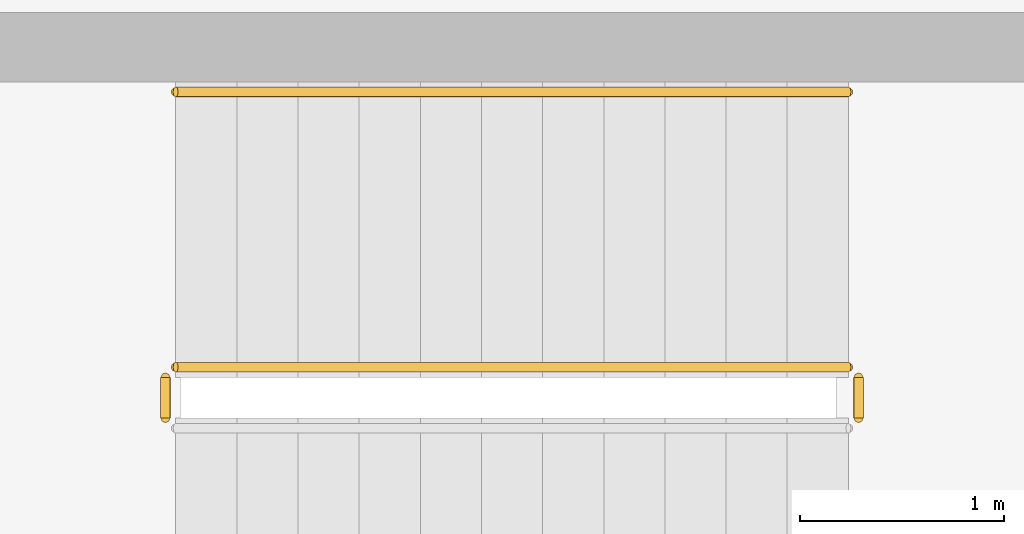
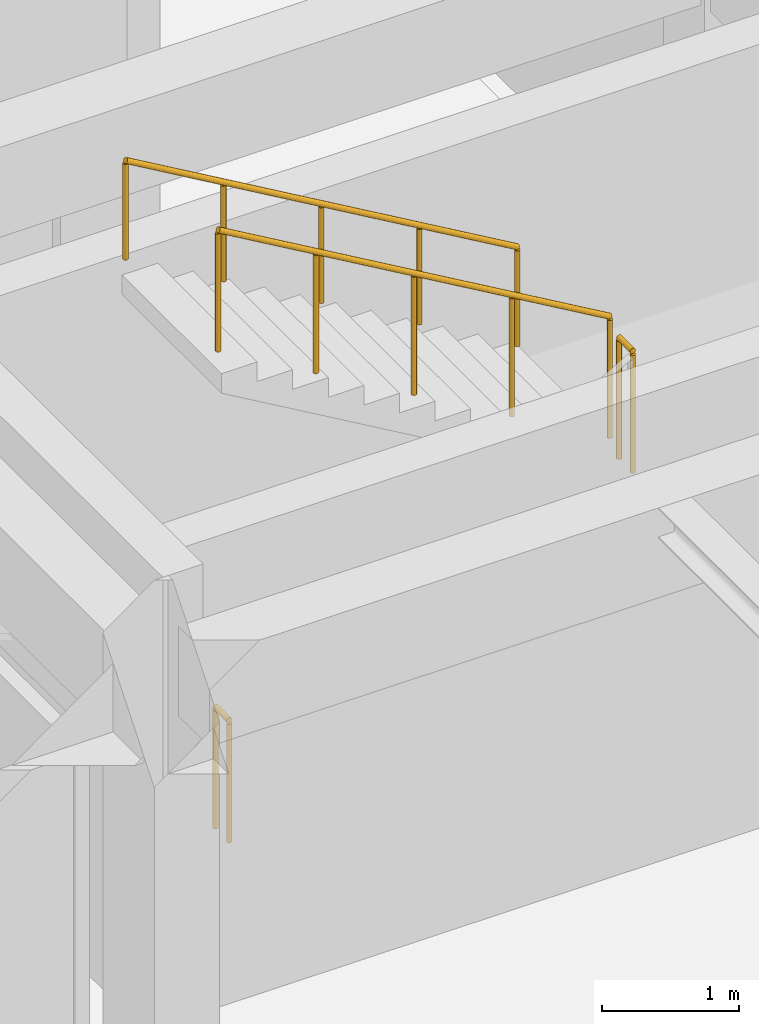
# One storey, part 37 of 40: 4 railings.
"""IFC4 building model written with IfcOpenShell, lengths in metres."""

import ifcopenshell
import ifcopenshell.guid

model = None  # the IFC model being written
_history = None  # IfcOwnerHistory: only IFC2X3 demands one
_inside = {}  # id of a spatial element -> (the spatial element, [elements in it])
_under = {}  # id of a project, library or spatial element -> (it, [spatial elements below it])
_declared = {}  # id of a project -> (the project, [libraries it declares])
_typed = {}  # id of a type object -> (the type object, [elements of that type])
_made_of = {}  # id of a material, layer set ... -> (it, [elements and type objects made of it])


def new_model(schema):
    """Start an empty IFC model of exactly this schema.

    Asked for "IFC4X3", IfcOpenShell would pick the latest addendum, in which some entities
    have other attributes; the version numbers below select the first issue.
    IFC2X3 requires an IfcOwnerHistory on every rooted entity: one is made here for all.
    """
    global model, _history
    if schema == "IFC4X3":
        model = ifcopenshell.file(schema_version=(4, 3, 0, 0))
    else:
        model = ifcopenshell.file(schema=schema)
    _inside.clear()
    _under.clear()
    _declared.clear()
    _typed.clear()
    _made_of.clear()
    _history = None
    if model.schema == "IFC2X3":
        org = make("IfcOrganization", Name="unknown")
        user = make(
            "IfcPersonAndOrganization",
            ThePerson=make("IfcPerson", FamilyName="unknown"),
            TheOrganization=org,
        )
        app = make(
            "IfcApplication",
            ApplicationDeveloper=org,
            Version="unknown",
            ApplicationFullName="unknown",
            ApplicationIdentifier="unknown",
        )
        _history = make(
            "IfcOwnerHistory",
            OwningUser=user,
            OwningApplication=app,
            ChangeAction="ADDED",
            CreationDate=0,
        )
    return model


def make(cls, **values):
    """One entity of the class cls with the attributes given. An attribute that is None is left unset."""
    return model.create_entity(
        cls, **{name: value for name, value in values.items() if value is not None}
    )


def rooted(cls, **values):
    """An entity with a GlobalId (a new one), such as an element, a storey or a relation."""
    return make(cls, GlobalId=ifcopenshell.guid.new(), OwnerHistory=_history, **values)


def si_unit(unit_type, name, prefix=None):
    """IfcSIUnit, for example si_unit("LENGTHUNIT", "METRE", prefix="MILLI")."""
    return make("IfcSIUnit", UnitType=unit_type, Prefix=prefix, Name=name)


def assignment(units):
    """IfcUnitAssignment: the units of a project."""
    return None if units is None else make("IfcUnitAssignment", Units=units)


def point(xyz):
    """IfcCartesianPoint."""
    return None if xyz is None else make("IfcCartesianPoint", Coordinates=xyz)


def direction(xyz):
    """IfcDirection."""
    return None if xyz is None else make("IfcDirection", DirectionRatios=xyz)


def frame(location, z_axis=None, x_axis=None):
    """IfcAxis2Placement3D, a coordinate frame: its origin and axes. An axis left out is left unset."""
    return make(
        "IfcAxis2Placement3D",
        Location=point(location),
        Axis=direction(z_axis),
        RefDirection=direction(x_axis),
    )


def frame_2d(location, x_axis=None):
    """IfcAxis2Placement2D, a coordinate frame in the plane: its origin and x axis."""
    return make(
        "IfcAxis2Placement2D", Location=point(location), RefDirection=direction(x_axis)
    )


def origin():
    """The frame at (0, 0, 0) with its axes left unset."""
    return frame((0.0, 0.0, 0.0))


def origin_2d():
    """The frame at (0, 0) in the plane with its x axis left unset."""
    return frame_2d((0.0, 0.0))


def place(relative_to, where):
    """IfcLocalPlacement: puts the frame where relative to a parent placement (None: the world)."""
    return make(
        "IfcLocalPlacement", PlacementRelTo=relative_to, RelativePlacement=where
    )


def context(
    kind, dimensions, precision=None, world=None, true_north=None, identifier=None
):
    """IfcGeometricRepresentationContext, for example the 3D "Model" context."""
    return make(
        "IfcGeometricRepresentationContext",
        ContextIdentifier=identifier,
        ContextType=kind,
        CoordinateSpaceDimension=dimensions,
        Precision=precision,
        WorldCoordinateSystem=world,
        TrueNorth=true_north,
    )


def subcontext(parent, identifier, kind, view, scale=None):
    """IfcGeometricRepresentationSubContext, for example "Body" below "Model"."""
    return make(
        "IfcGeometricRepresentationSubContext",
        ContextIdentifier=identifier,
        ContextType=kind,
        ParentContext=parent,
        TargetScale=scale,
        TargetView=view,
    )


def project(units=None, contexts=None):
    """IfcProject with its units and contexts."""
    return rooted(
        "IfcProject",
        Name="project",
        RepresentationContexts=contexts,
        UnitsInContext=assignment(units),
    )


def spatial(cls, under=None, at=None, **own):
    """A site, building, storey or space (cls), placed at a placement, below another one or the project."""
    s = rooted(cls, ObjectPlacement=at, **own)
    if under is not None:
        _under.setdefault(under.id(), (under, []))[1].append(s)
    return s


def profile(cls, at=None, kind="AREA", **sizes):
    """A parametric profile (cls). Its sizes go by their IFC names, for example OverallWidth=200.0."""
    return make(cls, ProfileType=kind, Position=at, **sizes)


def circle(**sizes):
    """IfcCircleProfileDef."""
    return profile("IfcCircleProfileDef", **sizes)


def extrude(swept, where, along, depth):
    """IfcExtrudedAreaSolid: the profile swept, set in the frame where, extruded along a direction by depth."""
    return make(
        "IfcExtrudedAreaSolid",
        SweptArea=swept,
        Position=where,
        ExtrudedDirection=direction(along),
        Depth=depth,
    )


def shape(context_of_items, identifier, shape_type, items):
    """IfcShapeRepresentation: the items that make up one representation, for example the "Body"."""
    return make(
        "IfcShapeRepresentation",
        ContextOfItems=context_of_items,
        RepresentationIdentifier=identifier,
        RepresentationType=shape_type,
        Items=items,
    )


def material(Name=None, Category=None):
    """IfcMaterial."""
    return make("IfcMaterial", Name=Name, Category=Category)


def made_of(thing, what):
    """Note that an element or type object is made of a material, layer set ...; save() writes the relation."""
    if what is not None:
        _made_of.setdefault(what.id(), (what, []))[1].append(thing)
    return thing


def type_object(cls, material=None, **own):
    """A type object (cls), such as IfcWallType, which elements share."""
    return made_of(rooted(cls, **own), material)


def element(
    cls,
    number,
    at=None,
    inside=None,
    cuts=None,
    type_object=None,
    material=None,
    context=None,
    identifier="Body",
    shape_type=None,
    held_by="IfcProductDefinitionShape",
    body=None,
    shapes=None,
    **own,
):
    """One element of the class cls, such as IfcWall. Its Tag is "e" and its number.

    at: its placement. inside: the storey or other place that contains it. cuts: it is an
    opening in that element (IfcRelVoidsElement). A single representation is given by context,
    identifier, shape_type and body (its items); several are given by shapes. held_by: the class
    of the entity that holds the representations. save() writes the other relations.
    """
    e = rooted(cls, Tag="e%d" % number, ObjectPlacement=at, **own)
    if body is not None:
        shapes = [shape(context, identifier, shape_type, body)]
    if shapes is not None:
        e.Representation = make(held_by, Representations=shapes)
    if inside is not None:
        _inside.setdefault(inside.id(), (inside, []))[1].append(e)
    if cuts is not None:
        rooted(
            "IfcRelVoidsElement", RelatingBuildingElement=cuts, RelatedOpeningElement=e
        )
    if type_object is not None:
        _typed.setdefault(type_object.id(), (type_object, []))[1].append(e)
    return made_of(e, material)


def aggregate(whole, parts):
    """IfcRelAggregates: a whole, such as a stair, and the parts it consists of."""
    return rooted("IfcRelAggregates", RelatingObject=whole, RelatedObjects=parts)


def save(model, path):
    """Write the relations noted so far, then the file.

    IfcRelAggregates (storeys below a building ...), IfcRelContainedInSpatialStructure (elements
    in a storey), IfcRelDefinesByType, IfcRelAssociatesMaterial and IfcRelDeclares: one each for
    every whole, place, type object, material and project.
    """
    for whole, parts in _under.values():
        aggregate(whole, parts)
    for where, things in _inside.values():
        rooted(
            "IfcRelContainedInSpatialStructure",
            RelatedElements=things,
            RelatingStructure=where,
        )
    for kind, things in _typed.values():
        rooted("IfcRelDefinesByType", RelatedObjects=things, RelatingType=kind)
    for what, things in _made_of.values():
        rooted("IfcRelAssociatesMaterial", RelatedObjects=things, RelatingMaterial=what)
    for by, libraries in _declared.values():
        rooted("IfcRelDeclares", RelatingContext=by, RelatedDefinitions=libraries)
    model.write(path)


model = new_model("IFC4")

# Units and contexts
model_context = context("Model", 3, precision=1e-05, world=origin(), true_north=direction((0.0, 1.0)))
body_context = subcontext(model_context, "Body", "Model", "MODEL_VIEW")
ifc_project = project(units=[si_unit("LENGTHUNIT", "METRE"), si_unit("AREAUNIT", "SQUARE_METRE"), si_unit("VOLUMEUNIT", "CUBIC_METRE"), si_unit("PLANEANGLEUNIT", "RADIAN"), si_unit("MASSUNIT", "GRAM", prefix="KILO")], contexts=[model_context])

# Site, building, storey
site_placement = place(None, origin())
site = spatial("IfcSite", under=ifc_project, at=site_placement, CompositionType="ELEMENT")
building_placement = place(site_placement, origin())
building = spatial("IfcBuilding", under=site, at=building_placement, Name="Korsvaeld Concert Hall", CompositionType="ELEMENT")
storey_placement = place(building_placement, frame((0.0, 0.0, 13.199951171875)))
storey = spatial("IfcBuildingStorey", under=building, at=storey_placement, Name="L03", CompositionType="ELEMENT", Elevation=13.199951171875)

# Railings
ifc_material_1 = material(Name="Powder-coated steel and bronze stair guardrail", Category="steel")
railing_type_1 = type_object("IfcRailingType", Name="RL-STAIR-GUARD-120", PredefinedType="GUARDRAIL", material=ifc_material_1)
railing_1_placement = place(storey_placement, frame((64.169921875, 92.02001953125, 2.10009765625)))
element("IfcRailing", 1, at=railing_1_placement, inside=storey, type_object=railing_type_1, Name="L03 ST-K5 stair guard 2", PredefinedType="GUARDRAIL", context=body_context, shape_type="SweptSolid", body=[
    extrude(circle(Radius=0.02392578125, at=origin_2d()), frame((0.0, 0.0, 1.076171875), z_axis=(0.0, 1.0, 0.0), x_axis=(-1.0, 0.0, 0.0)), (0.0, 0.0, 1.0), 0.199951171875),
    extrude(circle(Radius=0.02099609375, at=origin_2d()), origin(), (0.0, 0.0, 1.0), 1.052001953125),
    extrude(circle(Radius=0.02099609375, at=origin_2d()), frame((0.0, 0.199951171875, 0.0)), (0.0, 0.0, 1.0), 1.052001953125),
])
railing_2_placement = place(storey_placement, frame((64.1201171875, 92.27001953125, 2.275146484375)))
element("IfcRailing", 2, at=railing_2_placement, inside=storey, type_object=railing_type_1, Name="L03 ST-K5 stair guard 3", PredefinedType="GUARDRAIL", context=body_context, shape_type="SweptSolid", body=[
    extrude(circle(Radius=0.02392578125, at=origin_2d()), frame((0.0, 0.0, 1.076171875), z_axis=(-0.863804395585, 0.0, 0.503827317807), x_axis=(0.0, -1.0, 0.0)), (0.0, 0.0, 1.0), 3.8203125),
    extrude(circle(Radius=0.02099609375, at=origin_2d()), origin(), (0.0, 0.0, 1.0), 1.052001953125),
    extrude(circle(Radius=0.02099609375, at=origin_2d()), frame((-0.824951171875, 0.0, 0.481201171875)), (0.0, 0.0, 1.0), 1.052001953125),
    extrude(circle(Radius=0.02099609375, at=origin_2d()), frame((-1.64990234375, 0.0, 0.96240234375)), (0.0, 0.0, 1.0), 1.052001953125),
    extrude(circle(Radius=0.02099609375, at=origin_2d()), frame((-2.47509765625, 0.0, 1.443603515625)), (0.0, 0.0, 1.0), 1.052001953125),
    extrude(circle(Radius=0.02099609375, at=origin_2d()), frame((-3.300048828125, 0.0, 1.9248046875)), (0.0, 0.0, 1.0), 1.052001953125),
])
railing_3_placement = place(storey_placement, frame((60.77001953125, 92.02001953125, 0.0)))
element("IfcRailing", 3, at=railing_3_placement, inside=storey, type_object=railing_type_1, Name="L03 ST-K5 stair guard 4", PredefinedType="GUARDRAIL", context=body_context, shape_type="SweptSolid", body=[
    extrude(circle(Radius=0.02392578125, at=origin_2d()), frame((0.0, 0.0, 1.076171875), z_axis=(0.0, 1.0, 0.0), x_axis=(-1.0, 0.0, 0.0)), (0.0, 0.0, 1.0), 0.199951171875),
    extrude(circle(Radius=0.02099609375, at=origin_2d()), origin(), (0.0, 0.0, 1.0), 1.052001953125),
    extrude(circle(Radius=0.02099609375, at=origin_2d()), frame((0.0, 0.199951171875, 0.0)), (0.0, 0.0, 1.0), 1.052001953125),
])
ifc_material_2 = material(Name="European oak and bronze stair handrail")
railing_type_2 = type_object("IfcRailingType", Name="RL-STAIR-HAND-90", PredefinedType="HANDRAIL", material=ifc_material_2)
railing_4_placement = place(storey_placement, frame((64.1201171875, 93.6201171875, 2.275146484375)))
element("IfcRailing", 4, at=railing_4_placement, inside=storey, type_object=railing_type_2, Name="L03 ST-K5 stair handrail 2", PredefinedType="HANDRAIL", context=body_context, shape_type="SweptSolid", body=[
    extrude(circle(Radius=0.02392578125, at=origin_2d()), frame((0.0, 0.0, 0.8759765625), z_axis=(-0.863804395585, 0.0, 0.503827317807), x_axis=(0.0, -1.0, 0.0)), (0.0, 0.0, 1.0), 3.8203125),
    extrude(circle(Radius=0.02099609375, at=origin_2d()), origin(), (0.0, 0.0, 1.0), 0.851806640625),
    extrude(circle(Radius=0.02099609375, at=origin_2d()), frame((-0.824951171875, 0.0, 0.481201171875)), (0.0, 0.0, 1.0), 0.851806640625),
    extrude(circle(Radius=0.02099609375, at=origin_2d()), frame((-1.64990234375, 0.0, 0.96240234375)), (0.0, 0.0, 1.0), 0.851806640625),
    extrude(circle(Radius=0.02099609375, at=origin_2d()), frame((-2.47509765625, 0.0, 1.443603515625)), (0.0, 0.0, 1.0), 0.851806640625),
    extrude(circle(Radius=0.02099609375, at=origin_2d()), frame((-3.300048828125, 0.0, 1.9248046875)), (0.0, 0.0, 1.0), 0.851806640625),
])

save(model, "model.ifc")
